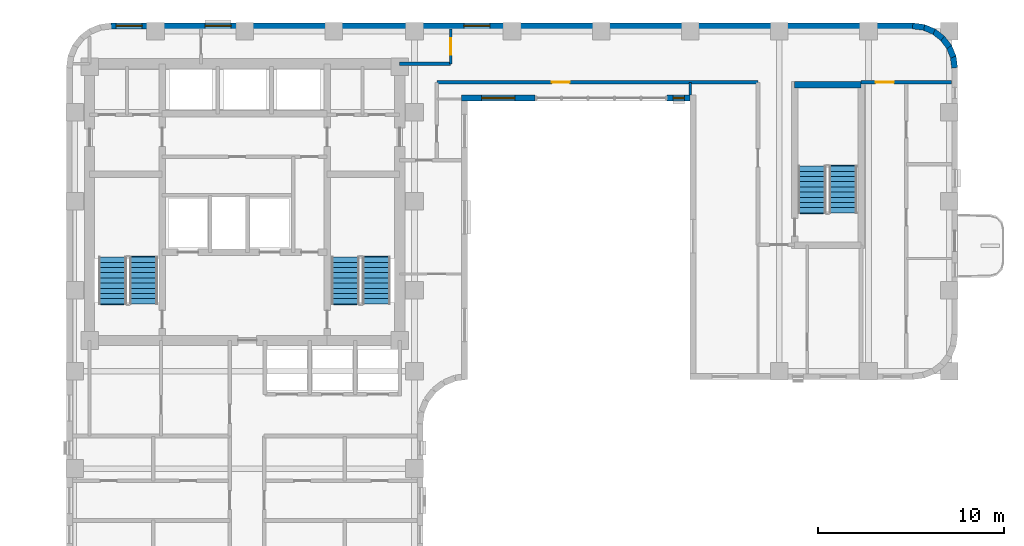
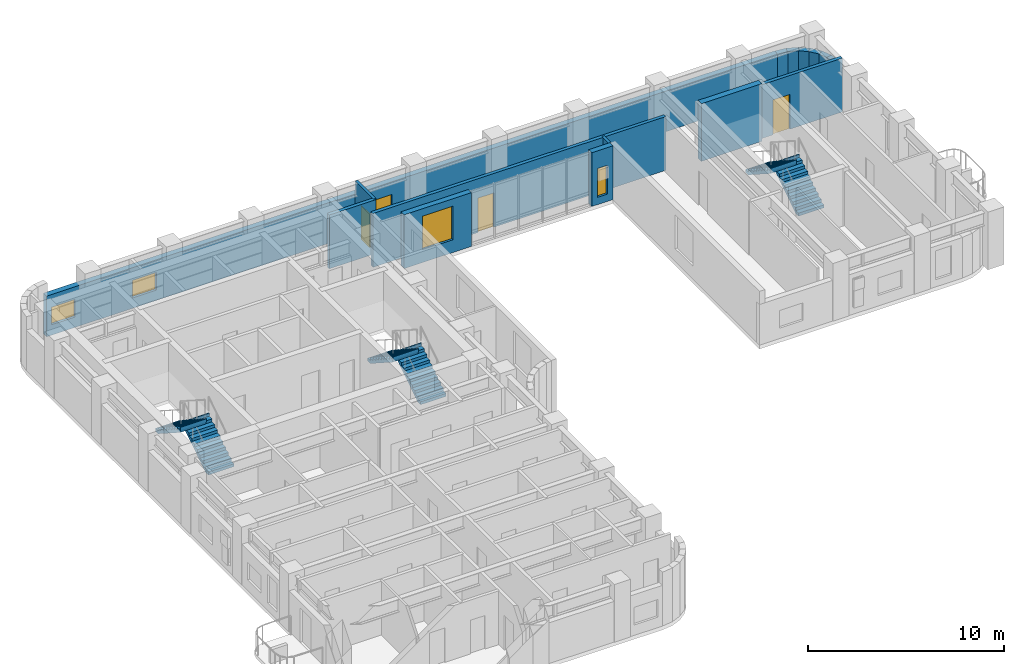
# One storey, part 8 of 11: 15 walls, 6 stair flights, 5 windows, 3 doors, 8 openings, 3 elements without a shape of their own.
"""IFC4 building model written with IfcOpenShell, lengths in metres."""

import ifcopenshell
import ifcopenshell.guid

model = None  # the IFC model being written
_history = None  # IfcOwnerHistory: only IFC2X3 demands one
_inside = {}  # id of a spatial element -> (the spatial element, [elements in it])
_under = {}  # id of a project, library or spatial element -> (it, [spatial elements below it])
_declared = {}  # id of a project -> (the project, [libraries it declares])
_typed = {}  # id of a type object -> (the type object, [elements of that type])
_made_of = {}  # id of a material, layer set ... -> (it, [elements and type objects made of it])


def new_model(schema):
    """Start an empty IFC model of exactly this schema.

    Asked for "IFC4X3", IfcOpenShell would pick the latest addendum, in which some entities
    have other attributes; the version numbers below select the first issue.
    IFC2X3 requires an IfcOwnerHistory on every rooted entity: one is made here for all.
    """
    global model, _history
    if schema == "IFC4X3":
        model = ifcopenshell.file(schema_version=(4, 3, 0, 0))
    else:
        model = ifcopenshell.file(schema=schema)
    _inside.clear()
    _under.clear()
    _declared.clear()
    _typed.clear()
    _made_of.clear()
    _history = None
    if model.schema == "IFC2X3":
        org = make("IfcOrganization", Name="unknown")
        user = make(
            "IfcPersonAndOrganization",
            ThePerson=make("IfcPerson", FamilyName="unknown"),
            TheOrganization=org,
        )
        app = make(
            "IfcApplication",
            ApplicationDeveloper=org,
            Version="unknown",
            ApplicationFullName="unknown",
            ApplicationIdentifier="unknown",
        )
        _history = make(
            "IfcOwnerHistory",
            OwningUser=user,
            OwningApplication=app,
            ChangeAction="ADDED",
            CreationDate=0,
        )
    return model


def make(cls, **values):
    """One entity of the class cls with the attributes given. An attribute that is None is left unset."""
    return model.create_entity(
        cls, **{name: value for name, value in values.items() if value is not None}
    )


def rooted(cls, **values):
    """An entity with a GlobalId (a new one), such as an element, a storey or a relation."""
    return make(cls, GlobalId=ifcopenshell.guid.new(), OwnerHistory=_history, **values)


def si_unit(unit_type, name, prefix=None):
    """IfcSIUnit, for example si_unit("LENGTHUNIT", "METRE", prefix="MILLI")."""
    return make("IfcSIUnit", UnitType=unit_type, Prefix=prefix, Name=name)


def assignment(units):
    """IfcUnitAssignment: the units of a project."""
    return None if units is None else make("IfcUnitAssignment", Units=units)


def point(xyz):
    """IfcCartesianPoint."""
    return None if xyz is None else make("IfcCartesianPoint", Coordinates=xyz)


def direction(xyz):
    """IfcDirection."""
    return None if xyz is None else make("IfcDirection", DirectionRatios=xyz)


def frame(location, z_axis=None, x_axis=None):
    """IfcAxis2Placement3D, a coordinate frame: its origin and axes. An axis left out is left unset."""
    return make(
        "IfcAxis2Placement3D",
        Location=point(location),
        Axis=direction(z_axis),
        RefDirection=direction(x_axis),
    )


def frame_2d(location, x_axis=None):
    """IfcAxis2Placement2D, a coordinate frame in the plane: its origin and x axis."""
    return make(
        "IfcAxis2Placement2D", Location=point(location), RefDirection=direction(x_axis)
    )


def origin():
    """The frame at (0, 0, 0) with its axes left unset."""
    return frame((0.0, 0.0, 0.0))


def place(relative_to, where):
    """IfcLocalPlacement: puts the frame where relative to a parent placement (None: the world)."""
    return make(
        "IfcLocalPlacement", PlacementRelTo=relative_to, RelativePlacement=where
    )


def context(
    kind, dimensions, precision=None, world=None, true_north=None, identifier=None
):
    """IfcGeometricRepresentationContext, for example the 3D "Model" context."""
    return make(
        "IfcGeometricRepresentationContext",
        ContextIdentifier=identifier,
        ContextType=kind,
        CoordinateSpaceDimension=dimensions,
        Precision=precision,
        WorldCoordinateSystem=world,
        TrueNorth=true_north,
    )


def subcontext(parent, identifier, kind, view, scale=None):
    """IfcGeometricRepresentationSubContext, for example "Body" below "Model"."""
    return make(
        "IfcGeometricRepresentationSubContext",
        ContextIdentifier=identifier,
        ContextType=kind,
        ParentContext=parent,
        TargetScale=scale,
        TargetView=view,
    )


def project(units=None, contexts=None):
    """IfcProject with its units and contexts."""
    return rooted(
        "IfcProject",
        Name="project",
        RepresentationContexts=contexts,
        UnitsInContext=assignment(units),
    )


def spatial(cls, under=None, at=None, **own):
    """A site, building, storey or space (cls), placed at a placement, below another one or the project."""
    s = rooted(cls, ObjectPlacement=at, **own)
    if under is not None:
        _under.setdefault(under.id(), (under, []))[1].append(s)
    return s


def polyline(points):
    """IfcPolyline through the points."""
    return make("IfcPolyline", Points=[point(p) for p in points])


def profile(cls, at=None, kind="AREA", **sizes):
    """A parametric profile (cls). Its sizes go by their IFC names, for example OverallWidth=200.0."""
    return make(cls, ProfileType=kind, Position=at, **sizes)


def rectangle(**sizes):
    """IfcRectangleProfileDef."""
    return profile("IfcRectangleProfileDef", **sizes)


def outline(outer, holes=None, kind="AREA"):
    """IfcArbitraryClosedProfileDef: a profile drawn as a closed curve; with holes, ...WithVoids."""
    if holes is None:
        return make("IfcArbitraryClosedProfileDef", ProfileType=kind, OuterCurve=outer)
    return make(
        "IfcArbitraryProfileDefWithVoids",
        ProfileType=kind,
        OuterCurve=outer,
        InnerCurves=holes,
    )


def extrude(swept, where, along, depth):
    """IfcExtrudedAreaSolid: the profile swept, set in the frame where, extruded along a direction by depth."""
    return make(
        "IfcExtrudedAreaSolid",
        SweptArea=swept,
        Position=where,
        ExtrudedDirection=direction(along),
        Depth=depth,
    )


def shape(context_of_items, identifier, shape_type, items):
    """IfcShapeRepresentation: the items that make up one representation, for example the "Body"."""
    return make(
        "IfcShapeRepresentation",
        ContextOfItems=context_of_items,
        RepresentationIdentifier=identifier,
        RepresentationType=shape_type,
        Items=items,
    )


def material(Name=None, Category=None):
    """IfcMaterial."""
    return make("IfcMaterial", Name=Name, Category=Category)


def layer(
    of_material, thickness, ventilated=None, Name=None, Category=None, Priority=None
):
    """IfcMaterialLayer: one layer of a wall or slab, of a material (None: an air gap)."""
    return make(
        "IfcMaterialLayer",
        Material=of_material,
        LayerThickness=thickness,
        IsVentilated=ventilated,
        Name=Name,
        Category=Category,
        Priority=Priority,
    )


def layer_set(layers, Name=None):
    """IfcMaterialLayerSet."""
    return make("IfcMaterialLayerSet", MaterialLayers=layers, LayerSetName=Name)


def made_of(thing, what):
    """Note that an element or type object is made of a material, layer set ...; save() writes the relation."""
    if what is not None:
        _made_of.setdefault(what.id(), (what, []))[1].append(thing)
    return thing


def type_object(cls, material=None, **own):
    """A type object (cls), such as IfcWallType, which elements share."""
    return made_of(rooted(cls, **own), material)


def element(
    cls,
    number,
    at=None,
    inside=None,
    cuts=None,
    type_object=None,
    material=None,
    context=None,
    identifier="Body",
    shape_type=None,
    held_by="IfcProductDefinitionShape",
    body=None,
    shapes=None,
    **own,
):
    """One element of the class cls, such as IfcWall. Its Tag is "e" and its number.

    at: its placement. inside: the storey or other place that contains it. cuts: it is an
    opening in that element (IfcRelVoidsElement). A single representation is given by context,
    identifier, shape_type and body (its items); several are given by shapes. held_by: the class
    of the entity that holds the representations. save() writes the other relations.
    """
    e = rooted(cls, Tag="e%d" % number, ObjectPlacement=at, **own)
    if body is not None:
        shapes = [shape(context, identifier, shape_type, body)]
    if shapes is not None:
        e.Representation = make(held_by, Representations=shapes)
    if inside is not None:
        _inside.setdefault(inside.id(), (inside, []))[1].append(e)
    if cuts is not None:
        rooted(
            "IfcRelVoidsElement", RelatingBuildingElement=cuts, RelatedOpeningElement=e
        )
    if type_object is not None:
        _typed.setdefault(type_object.id(), (type_object, []))[1].append(e)
    return made_of(e, material)


def fill(opening, filler):
    """IfcRelFillsElement: the door or window that sits in an opening."""
    return rooted(
        "IfcRelFillsElement",
        RelatingOpeningElement=opening,
        RelatedBuildingElement=filler,
    )


def aggregate(whole, parts):
    """IfcRelAggregates: a whole, such as a stair, and the parts it consists of."""
    return rooted("IfcRelAggregates", RelatingObject=whole, RelatedObjects=parts)


def save(model, path):
    """Write the relations noted so far, then the file.

    IfcRelAggregates (storeys below a building ...), IfcRelContainedInSpatialStructure (elements
    in a storey), IfcRelDefinesByType, IfcRelAssociatesMaterial and IfcRelDeclares: one each for
    every whole, place, type object, material and project.
    """
    for whole, parts in _under.values():
        aggregate(whole, parts)
    for where, things in _inside.values():
        rooted(
            "IfcRelContainedInSpatialStructure",
            RelatedElements=things,
            RelatingStructure=where,
        )
    for kind, things in _typed.values():
        rooted("IfcRelDefinesByType", RelatedObjects=things, RelatingType=kind)
    for what, things in _made_of.values():
        rooted("IfcRelAssociatesMaterial", RelatedObjects=things, RelatingMaterial=what)
    for by, libraries in _declared.values():
        rooted("IfcRelDeclares", RelatingContext=by, RelatedDefinitions=libraries)
    model.write(path)


model = new_model("IFC4")

# Units and contexts
model_context = context("Model", 3, precision=1e-05, world=origin(), true_north=direction((0.0, 1.0)))
body_context = subcontext(model_context, "Body", "Model", "MODEL_VIEW")
ifc_project = project(units=[si_unit("LENGTHUNIT", "METRE"), si_unit("AREAUNIT", "SQUARE_METRE"), si_unit("VOLUMEUNIT", "CUBIC_METRE"), si_unit("PLANEANGLEUNIT", "RADIAN"), si_unit("MASSUNIT", "GRAM", prefix="KILO")], contexts=[model_context])

# Site, building, storey
site_placement = place(None, origin())
site = spatial("IfcSite", under=ifc_project, at=site_placement, CompositionType="ELEMENT")
building_placement = place(site_placement, origin())
building = spatial("IfcBuilding", under=site, at=building_placement, Name="Orvandelia Arch Residences", CompositionType="ELEMENT")
storey_placement = place(building_placement, frame((0.0, 0.0, 168.39990234375)))
storey = spatial("IfcBuildingStorey", under=building, at=storey_placement, Name="L44", CompositionType="ELEMENT", Elevation=168.39990234375)

# Walls
ifc_material_1 = material(Name="Concrete C50/60", Category="concrete")
ifc_layer_1 = layer(ifc_material_1, 0.35009765625, Name="Concrete C50/60", Category="concrete")
ifc_layer_set_1 = layer_set([ifc_layer_1], Name="Concrete C50/60")
wall_type_1 = type_object("IfcWallType", Name="WL-CORE-350", PredefinedType="SHEAR", material=ifc_layer_set_1)
wall_1_placement = place(storey_placement, frame((44.02001953125, 44.659912109375, 0.0), z_axis=(0.0, 0.0, 1.0), x_axis=(1.0, 0.0, 0.0)))
element("IfcWall", 1, at=wall_1_placement, inside=storey, type_object=wall_type_1, Name="East Stair Core Shear Wall L44-N", PredefinedType="SHEAR", context=body_context, shape_type="SweptSolid", body=[
    extrude(rectangle(XDim=3.580078125, YDim=0.35009765625, at=frame_2d((1.7900390625, 0.0))), origin(), (0.0, 0.0, 1.0), 3.60009765625),
])
ifc_material_2 = material(Name="Fire-Rated Corridor Partition")
ifc_layer_2 = layer(ifc_material_2, 0.199951171875, Name="Fire-Rated Corridor Partition")
ifc_layer_set_2 = layer_set([ifc_layer_2], Name="Fire-Rated Corridor Partition")
wall_type_2 = type_object("IfcWallType", Name="WL-CORR-200", PredefinedType="PARTITIONING", material=ifc_layer_set_2)
wall_2_placement = place(storey_placement, frame((22.75, 45.800048828125, 0.0), z_axis=(0.0, 0.0, 1.0), x_axis=(1.0, 0.0, 0.0)))
element("IfcWall", 2, at=wall_2_placement, inside=storey, type_object=wall_type_2, Name="Interior Partition Wall WL-L44-NCE-S", PredefinedType="PARTITIONING", context=body_context, shape_type="SweptSolid", body=[
    extrude(rectangle(XDim=2.75, YDim=0.199951171875, at=frame_2d((1.375, 0.0))), origin(), (0.0, 0.0, 1.0), 3.360107421875),
])

# Wall, opening, door
wall_3_placement = place(storey_placement, frame((24.75, 44.800048828125, 0.0), z_axis=(0.0, 0.0, 1.0), x_axis=(1.0, 0.0, 0.0)))
wall_3 = element("IfcWall", 3, at=wall_3_placement, inside=storey, type_object=wall_type_2, Name="Interior Partition Wall WL-L44-ENP-S1", PredefinedType="PARTITIONING", context=body_context, shape_type="SweptSolid", body=[
    extrude(rectangle(XDim=17.300048828125, YDim=0.199951171875, at=frame_2d((8.64990234375, 0.0))), origin(), (0.0, 0.0, 1.0), 3.360107421875),
])
opening_1_placement = place(wall_3_placement, frame((6.199951171875, 0.0, 0.0)))
opening_1 = element("IfcOpeningElement", 4, at=opening_1_placement, cuts=wall_3, Name="Opening D2", PredefinedType="OPENING", context=body_context, shape_type="SweptSolid", body=[
    extrude(rectangle(XDim=0.949951171875, YDim=2.14990234375, at=frame_2d((0.47509765625, 1.074951171875))), frame((0.0, 0.10986328125, 0.0), z_axis=(0.0, -1.0, 0.0), x_axis=(1.0, 0.0, 0.0)), (0.0, 0.0, 1.0), 0.219970703125),
])
ifc_material_3 = material(Name="Solid-Core Timber Interior Fire Door", Category="wood")
door_type_1 = type_object("IfcDoorType", Name="DR-APT-950", OperationType="NOTDEFINED", PredefinedType="DOOR", material=ifc_material_3)
door_1_placement = place(opening_1_placement, origin())
door_1 = element("IfcDoor", 5, at=door_1_placement, inside=storey, type_object=door_type_1, Name="DR-L44-VPBRG", OperationType="SINGLE_SWING_LEFT", OverallHeight=2.14990234375, OverallWidth=0.949951171875, PredefinedType="DOOR", context=body_context, shape_type="SweptSolid", body=[
    extrude(rectangle(XDim=0.949951171875, YDim=2.14990234375, at=frame_2d((0.47509765625, 1.074951171875))), frame((0.0, 0.02490234375, 0.0), z_axis=(0.0, -1.0, 0.0), x_axis=(1.0, 0.0, 0.0)), (0.0, 0.0, 1.0), 0.050048828125),
])
fill(opening_1, door_1)

wall_4_placement = place(storey_placement, frame((47.60009765625, 44.800048828125, 0.0), z_axis=(0.0, 0.0, 1.0), x_axis=(1.0, 0.0, 0.0)))
wall_4 = element("IfcWall", 6, at=wall_4_placement, inside=storey, type_object=wall_type_2, Name="Interior Partition Wall WL-L44-ENP-S2", PredefinedType="PARTITIONING", context=body_context, shape_type="SweptSolid", body=[
    extrude(rectangle(XDim=4.8798828125, YDim=0.199951171875, at=frame_2d((2.43994140625, 0.0))), origin(), (0.0, 0.0, 1.0), 3.360107421875),
])
opening_2_placement = place(wall_4_placement, frame((0.79150390625, 0.0, 0.0)))
opening_2 = element("IfcOpeningElement", 7, at=opening_2_placement, cuts=wall_4, Name="Opening D1", PredefinedType="OPENING", context=body_context, shape_type="SweptSolid", body=[
    extrude(rectangle(XDim=0.97998046875, YDim=2.179931640625, at=frame_2d((0.489990234375, 1.08984375))), frame((0.0, 0.10986328125, 0.0), z_axis=(0.0, -1.0, 0.0), x_axis=(1.0, 0.0, 0.0)), (0.0, 0.0, 1.0), 0.219970703125),
])
ifc_material_4 = material(Name="Solid-Core Timber Acoustic Fire Door", Category="wood")
door_type_2 = type_object("IfcDoorType", Name="DR-ENT-980", OperationType="NOTDEFINED", PredefinedType="DOOR", material=ifc_material_4)
door_2_placement = place(opening_2_placement, origin())
door_2 = element("IfcDoor", 8, at=door_2_placement, inside=storey, type_object=door_type_2, Name="Unit L44-07 Entrance Door", OperationType="SINGLE_SWING_LEFT", OverallHeight=2.179931640625, OverallWidth=0.97998046875, PredefinedType="DOOR", context=body_context, shape_type="SweptSolid", body=[
    extrude(rectangle(XDim=0.97998046875, YDim=2.179931640625, at=frame_2d((0.489990234375, 1.08984375))), frame((0.0, 0.02490234375, 0.0), z_axis=(0.0, -1.0, 0.0), x_axis=(1.0, 0.0, 0.0)), (0.0, 0.0, 1.0), 0.050048828125),
])
fill(opening_2, door_2)

# Wall, openings, windows
ifc_material_5 = material(Name="Precast concrete C40/50", Category="concrete")
ifc_layer_3 = layer(ifc_material_5, 0.320068359375, Name="Precast concrete C40/50", Category="concrete")
ifc_layer_set_3 = layer_set([ifc_layer_3], Name="Precast concrete C40/50")
wall_type_3 = type_object("IfcWallType", Name="WL-EXT-STONE-320", PredefinedType="STANDARD", material=ifc_layer_set_3)
wall_5_placement = place(storey_placement, frame((7.199951171875, 47.840087890625, 0.0), z_axis=(0.0, 0.0, 1.0), x_axis=(1.0, 0.0, 0.0)))
wall_5 = element("IfcWall", 9, at=wall_5_placement, inside=storey, type_object=wall_type_3, Name="Coral-Limestone Precast Facade Wall L44-007", PredefinedType="STANDARD", context=body_context, shape_type="SweptSolid", body=[
    extrude(rectangle(XDim=43.199951171875, YDim=0.320068359375, at=frame_2d((21.60009765625, 0.0))), origin(), (0.0, 0.0, 1.0), 2.5400390625),
])
opening_3_placement = place(wall_5_placement, frame((19.00244140625, 0.0, 0.64990234375)))
opening_3 = element("IfcOpeningElement", 10, at=opening_3_placement, cuts=wall_5, Name="Opening W10", PredefinedType="OPENING", context=body_context, shape_type="SweptSolid", body=[
    extrude(rectangle(XDim=1.39990234375, YDim=1.10009765625, at=frame_2d((0.699951171875, 0.550048828125))), frame((0.0, 0.169921875, 0.0), z_axis=(0.0, -1.0, 0.0), x_axis=(1.0, 0.0, 0.0)), (0.0, 0.0, 1.0), 0.340087890625),
])
opening_4_placement = place(wall_5_placement, frame((0.282470703125, 0.0, 0.64990234375)))
opening_4 = element("IfcOpeningElement", 11, at=opening_4_placement, cuts=wall_5, Name="Opening W10", PredefinedType="OPENING", context=body_context, shape_type="SweptSolid", body=[
    extrude(rectangle(XDim=1.39990234375, YDim=1.10009765625, at=frame_2d((0.699951171875, 0.550048828125))), frame((0.0, 0.169921875, 0.0), z_axis=(0.0, -1.0, 0.0), x_axis=(1.0, 0.0, 0.0)), (0.0, 0.0, 1.0), 0.340087890625),
])
opening_5_placement = place(wall_5_placement, frame((5.077392578125, 0.0, 0.64990234375)))
opening_5 = element("IfcOpeningElement", 12, at=opening_5_placement, cuts=wall_5, Name="Opening W10", PredefinedType="OPENING", context=body_context, shape_type="SweptSolid", body=[
    extrude(rectangle(XDim=1.39990234375, YDim=1.10009765625, at=frame_2d((0.699951171875, 0.550048828125))), frame((0.0, 0.169921875, 0.0), z_axis=(0.0, -1.0, 0.0), x_axis=(1.0, 0.0, 0.0)), (0.0, 0.0, 1.0), 0.340087890625),
])
ifc_material_6 = material(Name="Tempered Low-E Insulated Glazing", Category="glass")
window_type_1 = type_object("IfcWindowType", Name="WIN-CLR-1400x1100", PartitioningType="SINGLE_PANEL", PredefinedType="WINDOW", material=ifc_material_6)
window_1_placement = place(opening_3_placement, origin())
window_1 = element("IfcWindow", 13, at=window_1_placement, inside=storey, type_object=window_type_1, Name="Recessed Punched Window L44-001", OverallHeight=1.10009765625, OverallWidth=1.39990234375, PartitioningType="SINGLE_PANEL", PredefinedType="WINDOW", context=body_context, shape_type="SweptSolid", body=[
    extrude(rectangle(XDim=1.39990234375, YDim=1.10009765625, at=frame_2d((0.699951171875, 0.550048828125))), frame((0.0, 0.030029296875, 0.0), z_axis=(0.0, -1.0, 0.0), x_axis=(1.0, 0.0, 0.0)), (0.0, 0.0, 1.0), 0.06005859375),
])
fill(opening_3, window_1)
window_2_placement = place(opening_4_placement, origin())
window_2 = element("IfcWindow", 14, at=window_2_placement, inside=storey, type_object=window_type_1, Name="Recessed Punched Window L44-002", OverallHeight=1.10009765625, OverallWidth=1.39990234375, PartitioningType="SINGLE_PANEL", PredefinedType="WINDOW", context=body_context, shape_type="SweptSolid", body=[
    extrude(rectangle(XDim=1.39990234375, YDim=1.10009765625, at=frame_2d((0.699951171875, 0.550048828125))), frame((0.0, 0.030029296875, 0.0), z_axis=(0.0, -1.0, 0.0), x_axis=(1.0, 0.0, 0.0)), (0.0, 0.0, 1.0), 0.06005859375),
])
fill(opening_4, window_2)
window_3_placement = place(opening_5_placement, origin())
window_3 = element("IfcWindow", 15, at=window_3_placement, inside=storey, type_object=window_type_1, Name="Recessed Punched Window L44-003", OverallHeight=1.10009765625, OverallWidth=1.39990234375, PartitioningType="SINGLE_PANEL", PredefinedType="WINDOW", context=body_context, shape_type="SweptSolid", body=[
    extrude(rectangle(XDim=1.39990234375, YDim=1.10009765625, at=frame_2d((0.699951171875, 0.550048828125))), frame((0.0, 0.030029296875, 0.0), z_axis=(0.0, -1.0, 0.0), x_axis=(1.0, 0.0, 0.0)), (0.0, 0.0, 1.0), 0.06005859375),
])
fill(opening_5, window_3)

# Walls
for number, where, z_axis, x_axis, name in (
    (16, (50.379150390625, 47.84130859375, 0.0), (0.0, 0.0, 1.0), (0.9914410257, -0.130555323746, 0.0), "Coral-Limestone Precast Facade Wall L44-008"),
    (17, (50.9599609375, 47.7705078125, 0.0), (0.0, 0.0, 1.0), (0.92389335771, -0.382650053678, 0.0), "Coral-Limestone Precast Facade Wall L44-009"),
    (18, (51.502685546875, 47.551513671875, 0.0), (0.0, 0.0, 1.0), (0.793405610854, -0.608693302629, 0.0), "Coral-Limestone Precast Facade Wall L44-010"),
    (19, (51.97021484375, 47.19970703125, 0.0), (0.0, 0.0, 1.0), (0.608693302629, -0.793405610854, 0.0), "Coral-Limestone Precast Facade Wall L44-011"),
    (20, (52.330810546875, 46.73876953125, 0.0), (0.0, 0.0, 1.0), (0.382317370307, -0.924031075431, 0.0), "Coral-Limestone Precast Facade Wall L44-012"),
    (21, (52.5595703125, 46.2001953125, 0.0), (0.0, 0.0, 1.0), (0.130555323746, -0.9914410257, 0.0), "Coral-Limestone Precast Facade Wall L44-013"),
):
    element("IfcWall", number, at=place(storey_placement, frame(where, z_axis=z_axis, x_axis=x_axis)), inside=storey, type_object=wall_type_3, Name=name, PredefinedType="STANDARD", context=body_context, shape_type="SweptSolid", body=[
        extrude(rectangle(XDim=0.62646484375, YDim=0.320068359375, at=frame_2d((0.313232421875, 0.0))), origin(), (0.0, 0.0, 1.0), 2.5400390625),
    ])

# Wall, opening, window
wall_6_placement = place(storey_placement, frame((38.39990234375, 43.9599609375, 0.0), z_axis=(0.0, 0.0, 1.0), x_axis=(-1.0, 0.0, 0.0)))
wall_6 = element("IfcWall", 22, at=wall_6_placement, inside=storey, type_object=wall_type_3, Name="Coral-Limestone Precast Facade Wall L44-023", PredefinedType="STANDARD", context=body_context, shape_type="SweptSolid", body=[
    extrude(rectangle(XDim=1.239990234375, YDim=0.320068359375, at=frame_2d((0.6201171875, 0.0))), origin(), (0.0, 0.0, 1.0), 3.360107421875),
])
opening_6_placement = place(wall_6_placement, frame((0.320068359375, 0.0, 0.449951171875)))
opening_6 = element("IfcOpeningElement", 23, at=opening_6_placement, cuts=wall_6, Name="Opening W12", PredefinedType="OPENING", context=body_context, shape_type="SweptSolid", body=[
    extrude(rectangle(XDim=0.60009765625, YDim=1.800048828125, at=frame_2d((0.300048828125, 0.89990234375))), frame((0.0, 0.169921875, 0.0), z_axis=(0.0, -1.0, 0.0), x_axis=(1.0, 0.0, 0.0)), (0.0, 0.0, 1.0), 0.340087890625),
])
window_type_2 = type_object("IfcWindowType", Name="WIN-LAN-0600x1800", PartitioningType="SINGLE_PANEL", PredefinedType="WINDOW", material=ifc_material_6)
window_4_placement = place(opening_6_placement, origin())
window_4 = element("IfcWindow", 24, at=window_4_placement, inside=storey, type_object=window_type_2, Name="Recessed Punched Window L44-012", OverallHeight=1.800048828125, OverallWidth=0.60009765625, PartitioningType="SINGLE_PANEL", PredefinedType="WINDOW", context=body_context, shape_type="SweptSolid", body=[
    extrude(rectangle(XDim=0.60009765625, YDim=1.800048828125, at=frame_2d((0.300048828125, 0.89990234375))), frame((0.0, 0.030029296875, 0.0), z_axis=(0.0, -1.0, 0.0), x_axis=(1.0, 0.0, 0.0)), (0.0, 0.0, 1.0), 0.06005859375),
])
fill(opening_6, window_4)

wall_7_placement = place(storey_placement, frame((30.0400390625, 43.9599609375, 0.0), z_axis=(0.0, 0.0, 1.0), x_axis=(-1.0, 0.0, 0.0)))
wall_7 = element("IfcWall", 25, at=wall_7_placement, inside=storey, type_object=wall_type_3, Name="Coral-Limestone Precast Facade Wall L44-024", PredefinedType="STANDARD", context=body_context, shape_type="SweptSolid", body=[
    extrude(rectangle(XDim=3.9599609375, YDim=0.320068359375, at=frame_2d((1.97998046875, 0.0))), origin(), (0.0, 0.0, 1.0), 3.360107421875),
])
opening_7_placement = place(wall_7_placement, frame((1.080078125, 0.0, 0.800048828125)))
opening_7 = element("IfcOpeningElement", 26, at=opening_7_placement, cuts=wall_7, Name="Opening W1", PredefinedType="OPENING", context=body_context, shape_type="SweptSolid", body=[
    extrude(rectangle(XDim=1.800048828125, YDim=2.10009765625, at=frame_2d((0.89990234375, 1.050048828125))), frame((0.0, 0.169921875, 0.0), z_axis=(0.0, -1.0, 0.0), x_axis=(1.0, 0.0, 0.0)), (0.0, 0.0, 1.0), 0.340087890625),
])
window_type_3 = type_object("IfcWindowType", Name="WIN-RES-1800x2100", PartitioningType="SINGLE_PANEL", PredefinedType="WINDOW", material=ifc_material_6)
window_5_placement = place(opening_7_placement, origin())
window_5 = element("IfcWindow", 27, at=window_5_placement, inside=storey, type_object=window_type_3, Name="Recessed Punched Window L44-013", OverallHeight=2.10009765625, OverallWidth=1.800048828125, PartitioningType="SINGLE_PANEL", PredefinedType="WINDOW", context=body_context, shape_type="SweptSolid", body=[
    extrude(rectangle(XDim=1.800048828125, YDim=2.10009765625, at=frame_2d((0.89990234375, 1.050048828125))), frame((0.0, 0.030029296875, 0.0), z_axis=(0.0, -1.0, 0.0), x_axis=(1.0, 0.0, 0.0)), (0.0, 0.0, 1.0), 0.06005859375),
])
fill(opening_7, window_5)

# Wall, opening, door
ifc_material_7 = material(Name="Acoustic Gypsum Stud Partition")
ifc_layer_4 = layer(ifc_material_7, 0.14990234375, Name="Acoustic Gypsum Stud Partition")
ifc_layer_set_4 = layer_set([ifc_layer_4], Name="Acoustic Gypsum Stud Partition")
wall_type_4 = type_object("IfcWallType", Name="WL-PART-150", PredefinedType="PARTITIONING", material=ifc_layer_set_4)
wall_8_placement = place(storey_placement, frame((25.5, 45.800048828125, 0.0), z_axis=(0.0, 0.0, 1.0), x_axis=(0.0, 1.0, 0.0)))
wall_8 = element("IfcWall", 28, at=wall_8_placement, inside=storey, type_object=wall_type_4, Name="Interior Partition Wall WL-L44-NCE-W", PredefinedType="PARTITIONING", context=body_context, shape_type="SweptSolid", body=[
    extrude(rectangle(XDim=1.8798828125, YDim=0.14990234375, at=frame_2d((0.93994140625, 0.0))), origin(), (0.0, 0.0, 1.0), 3.360107421875),
])
opening_8_placement = place(wall_8_placement, frame((0.5, 0.0, 0.0)))
opening_8 = element("IfcOpeningElement", 29, at=opening_8_placement, cuts=wall_8, Name="Opening D5", PredefinedType="OPENING", context=body_context, shape_type="SweptSolid", body=[
    extrude(rectangle(XDim=0.8798828125, YDim=2.10009765625, at=frame_2d((0.43994140625, 1.050048828125))), frame((0.0, 0.0849609375, 0.0), z_axis=(0.0, -1.0, 0.0), x_axis=(1.0, 0.0, 0.0)), (0.0, 0.0, 1.0), 0.169921875),
])
ifc_material_8 = material(Name="Painted Galvanised Steel Service Door", Category="steel")
door_type_3 = type_object("IfcDoorType", Name="DR-SRV-880", OperationType="NOTDEFINED", PredefinedType="DOOR", material=ifc_material_8)
door_3_placement = place(opening_8_placement, origin())
door_3 = element("IfcDoor", 30, at=door_3_placement, inside=storey, type_object=door_type_3, Name="DR-L44-NCS2", OperationType="SINGLE_SWING_LEFT", OverallHeight=2.10009765625, OverallWidth=0.8798828125, PredefinedType="DOOR", context=body_context, shape_type="SweptSolid", body=[
    extrude(rectangle(XDim=0.8798828125, YDim=2.10009765625, at=frame_2d((0.43994140625, 1.050048828125))), frame((0.0, 0.02490234375, 0.0), z_axis=(0.0, -1.0, 0.0), x_axis=(1.0, 0.0, 0.0)), (0.0, 0.0, 1.0), 0.050048828125),
])
fill(opening_8, door_3)

# Wall
wall_9_placement = place(storey_placement, frame((38.39990234375, 44.1201171875, 0.0), z_axis=(0.0, 0.0, 1.0), x_axis=(0.0, 1.0, 0.0)))
element("IfcWall", 31, at=wall_9_placement, inside=storey, type_object=wall_type_4, Name="Interior Partition Wall WL-L44-VPBRG-E", PredefinedType="PARTITIONING", context=body_context, shape_type="SweptSolid", body=[
    extrude(rectangle(XDim=0.679931640625, YDim=0.14990234375, at=frame_2d((0.33984375, 0.0))), origin(), (0.0, 0.0, 1.0), 3.360107421875),
])

# Stair, stair flights
ifc_material_9 = material(Name="Concrete C40/50", Category="concrete")
stair_type = type_object("IfcStairType", Name="STAIR-RC-DOGLEG", PredefinedType="HALF_TURN_STAIR", material=ifc_material_9)
stair_1_placement = place(storey_placement, origin())
stair_1 = element("IfcStair", 32, at=stair_1_placement, inside=storey, type_object=stair_type, Name="L44 Protected Exit Stair ST-1", PredefinedType="HALF_TURN_STAIR")
stair_flight_type = type_object("IfcStairFlightType", Name="STFLT-RC-1520", PredefinedType="STRAIGHT", material=ifc_material_9)
stair_flight_1_placement = place(storey_placement, frame((8.9599609375, 32.8701171875, 0.0), z_axis=(0.0, 0.0, 1.0), x_axis=(0.0, 1.0, 0.0)))
stair_flight_1 = element("IfcStairFlight", 33, at=stair_flight_1_placement, type_object=stair_flight_type, Name="ST-1 flight 1", NumberOfRisers=10, NumberOfTreads=9, PredefinedType="STRAIGHT", RiserHeight=0.18, TreadLength=0.28, context=body_context, shape_type="SweptSolid", body=[
    extrude(outline(polyline([(0.0, 0.0), (0.0, 0.179931640625), (0.280029296875, 0.179931640625), (0.280029296875, 0.360107421875), (0.56005859375, 0.360107421875), (0.56005859375, 0.5400390625), (0.840087890625, 0.5400390625), (0.840087890625, 0.719970703125), (1.1201171875, 0.719970703125), (1.1201171875, 0.89990234375), (1.39990234375, 0.89990234375), (1.39990234375, 1.080078125), (1.679931640625, 1.080078125), (1.679931640625, 1.260009765625), (1.9599609375, 1.260009765625), (1.9599609375, 1.43994140625), (2.239990234375, 1.43994140625), (2.239990234375, 1.6201171875), (2.52001953125, 1.6201171875), (2.52001953125, 1.800048828125), (2.580078125, 1.800048828125), (2.580078125, 1.6201171875), (2.52001953125, 1.44189453125), (0.277099609375, 0.0), (0.0, 0.0)])), frame((0.0, 0.760009765625, 0.0), z_axis=(0.0, -1.0, 0.0), x_axis=(1.0, 0.0, 0.0)), (0.0, 0.0, 1.0), 1.52001953125),
])
stair_flight_2_placement = place(storey_placement, frame((7.2900390625, 35.389892578125, 1.800048828125), z_axis=(0.0, 0.0, 1.0), x_axis=(0.0, -1.0, 0.0)))
stair_flight_2 = element("IfcStairFlight", 34, at=stair_flight_2_placement, type_object=stair_flight_type, Name="ST-1 flight 2", NumberOfRisers=10, NumberOfTreads=9, PredefinedType="STRAIGHT", RiserHeight=0.18, TreadLength=0.28, context=body_context, shape_type="SweptSolid", body=[
    extrude(outline(polyline([(0.0, 0.0), (0.0, 0.179931640625), (0.280029296875, 0.179931640625), (0.280029296875, 0.360107421875), (0.56005859375, 0.360107421875), (0.56005859375, 0.5400390625), (0.840087890625, 0.5400390625), (0.840087890625, 0.719970703125), (1.1201171875, 0.719970703125), (1.1201171875, 0.89990234375), (1.39990234375, 0.89990234375), (1.39990234375, 1.080078125), (1.679931640625, 1.080078125), (1.679931640625, 1.260009765625), (1.9599609375, 1.260009765625), (1.9599609375, 1.43994140625), (2.239990234375, 1.43994140625), (2.239990234375, 1.6201171875), (2.52001953125, 1.6201171875), (2.52001953125, 1.800048828125), (2.580078125, 1.800048828125), (2.580078125, 1.6201171875), (2.52001953125, 1.44189453125), (0.277099609375, 0.0), (0.0, 0.0)])), frame((0.0, 0.760009765625, 0.0), z_axis=(0.0, -1.0, 0.0), x_axis=(1.0, 0.0, 0.0)), (0.0, 0.0, 1.0), 1.52001953125),
])
aggregate(stair_1, [stair_flight_1, stair_flight_2])

stair_2_placement = place(storey_placement, origin())
stair_2 = element("IfcStair", 35, at=stair_2_placement, inside=storey, type_object=stair_type, Name="L44 Protected Exit Stair ST-2", PredefinedType="HALF_TURN_STAIR")
stair_flight_3_placement = place(storey_placement, frame((21.489990234375, 32.8701171875, 0.0), z_axis=(0.0, 0.0, 1.0), x_axis=(0.0, 1.0, 0.0)))
stair_flight_3 = element("IfcStairFlight", 36, at=stair_flight_3_placement, type_object=stair_flight_type, Name="ST-2 flight 1", NumberOfRisers=10, NumberOfTreads=9, PredefinedType="STRAIGHT", RiserHeight=0.18, TreadLength=0.28, context=body_context, shape_type="SweptSolid", body=[
    extrude(outline(polyline([(0.0, 0.0), (0.0, 0.179931640625), (0.280029296875, 0.179931640625), (0.280029296875, 0.360107421875), (0.56005859375, 0.360107421875), (0.56005859375, 0.5400390625), (0.840087890625, 0.5400390625), (0.840087890625, 0.719970703125), (1.1201171875, 0.719970703125), (1.1201171875, 0.89990234375), (1.39990234375, 0.89990234375), (1.39990234375, 1.080078125), (1.679931640625, 1.080078125), (1.679931640625, 1.260009765625), (1.9599609375, 1.260009765625), (1.9599609375, 1.43994140625), (2.239990234375, 1.43994140625), (2.239990234375, 1.6201171875), (2.52001953125, 1.6201171875), (2.52001953125, 1.800048828125), (2.580078125, 1.800048828125), (2.580078125, 1.6201171875), (2.52001953125, 1.44189453125), (0.277099609375, 0.0), (0.0, 0.0)])), frame((0.0, 0.760009765625, 0.0), z_axis=(0.0, -1.0, 0.0), x_axis=(1.0, 0.0, 0.0)), (0.0, 0.0, 1.0), 1.52001953125),
])
stair_flight_4_placement = place(storey_placement, frame((19.820068359375, 35.389892578125, 1.800048828125), z_axis=(0.0, 0.0, 1.0), x_axis=(0.0, -1.0, 0.0)))
stair_flight_4 = element("IfcStairFlight", 37, at=stair_flight_4_placement, type_object=stair_flight_type, Name="ST-2 flight 2", NumberOfRisers=10, NumberOfTreads=9, PredefinedType="STRAIGHT", RiserHeight=0.18, TreadLength=0.28, context=body_context, shape_type="SweptSolid", body=[
    extrude(outline(polyline([(0.0, 0.0), (0.0, 0.179931640625), (0.280029296875, 0.179931640625), (0.280029296875, 0.360107421875), (0.56005859375, 0.360107421875), (0.56005859375, 0.5400390625), (0.840087890625, 0.5400390625), (0.840087890625, 0.719970703125), (1.1201171875, 0.719970703125), (1.1201171875, 0.89990234375), (1.39990234375, 0.89990234375), (1.39990234375, 1.080078125), (1.679931640625, 1.080078125), (1.679931640625, 1.260009765625), (1.9599609375, 1.260009765625), (1.9599609375, 1.43994140625), (2.239990234375, 1.43994140625), (2.239990234375, 1.6201171875), (2.52001953125, 1.6201171875), (2.52001953125, 1.800048828125), (2.580078125, 1.800048828125), (2.580078125, 1.6201171875), (2.52001953125, 1.44189453125), (0.277099609375, 0.0), (0.0, 0.0)])), frame((0.0, 0.760009765625, 0.0), z_axis=(0.0, -1.0, 0.0), x_axis=(1.0, 0.0, 0.0)), (0.0, 0.0, 1.0), 1.52001953125),
])
aggregate(stair_2, [stair_flight_3, stair_flight_4])

stair_3_placement = place(storey_placement, origin())
stair_3 = element("IfcStair", 38, at=stair_3_placement, inside=storey, type_object=stair_type, Name="L44 East Wing Exit Stair ST-3", PredefinedType="HALF_TURN_STAIR")
stair_flight_5_placement = place(storey_placement, frame((46.639892578125, 37.77001953125, 0.0), z_axis=(0.0, 0.0, 1.0), x_axis=(0.0, 1.0, 0.0)))
stair_flight_5 = element("IfcStairFlight", 39, at=stair_flight_5_placement, type_object=stair_flight_type, Name="ST-3 flight 1", NumberOfRisers=10, NumberOfTreads=9, PredefinedType="STRAIGHT", RiserHeight=0.18, TreadLength=0.28, context=body_context, shape_type="SweptSolid", body=[
    extrude(outline(polyline([(0.0, 0.0), (0.0, 0.179931640625), (0.280029296875, 0.179931640625), (0.280029296875, 0.360107421875), (0.56005859375, 0.360107421875), (0.56005859375, 0.5400390625), (0.840087890625, 0.5400390625), (0.840087890625, 0.719970703125), (1.1201171875, 0.719970703125), (1.1201171875, 0.89990234375), (1.39990234375, 0.89990234375), (1.39990234375, 1.080078125), (1.679931640625, 1.080078125), (1.679931640625, 1.260009765625), (1.9599609375, 1.260009765625), (1.9599609375, 1.43994140625), (2.239990234375, 1.43994140625), (2.239990234375, 1.6201171875), (2.52001953125, 1.6201171875), (2.52001953125, 1.800048828125), (2.580078125, 1.800048828125), (2.580078125, 1.6201171875), (2.52001953125, 1.44189453125), (0.277099609375, 0.0), (0.0, 0.0)])), frame((0.0, 0.760009765625, 0.0), z_axis=(0.0, -1.0, 0.0), x_axis=(1.0, 0.0, 0.0)), (0.0, 0.0, 1.0), 1.52001953125),
])
stair_flight_6_placement = place(storey_placement, frame((44.969970703125, 40.2900390625, 1.800048828125), z_axis=(0.0, 0.0, 1.0), x_axis=(0.0, -1.0, 0.0)))
stair_flight_6 = element("IfcStairFlight", 40, at=stair_flight_6_placement, type_object=stair_flight_type, Name="ST-3 flight 2", NumberOfRisers=10, NumberOfTreads=9, PredefinedType="STRAIGHT", RiserHeight=0.18, TreadLength=0.28, context=body_context, shape_type="SweptSolid", body=[
    extrude(outline(polyline([(0.0, 0.0), (0.0, 0.179931640625), (0.280029296875, 0.179931640625), (0.280029296875, 0.360107421875), (0.56005859375, 0.360107421875), (0.56005859375, 0.5400390625), (0.840087890625, 0.5400390625), (0.840087890625, 0.719970703125), (1.1201171875, 0.719970703125), (1.1201171875, 0.89990234375), (1.39990234375, 0.89990234375), (1.39990234375, 1.080078125), (1.679931640625, 1.080078125), (1.679931640625, 1.260009765625), (1.9599609375, 1.260009765625), (1.9599609375, 1.43994140625), (2.239990234375, 1.43994140625), (2.239990234375, 1.6201171875), (2.52001953125, 1.6201171875), (2.52001953125, 1.800048828125), (2.580078125, 1.800048828125), (2.580078125, 1.6201171875), (2.52001953125, 1.44189453125), (0.277099609375, 0.0), (0.0, 0.0)])), frame((0.0, 0.760009765625, 0.0), z_axis=(0.0, -1.0, 0.0), x_axis=(1.0, 0.0, 0.0)), (0.0, 0.0, 1.0), 1.52001953125),
])
aggregate(stair_3, [stair_flight_5, stair_flight_6])

save(model, "model.ifc")
